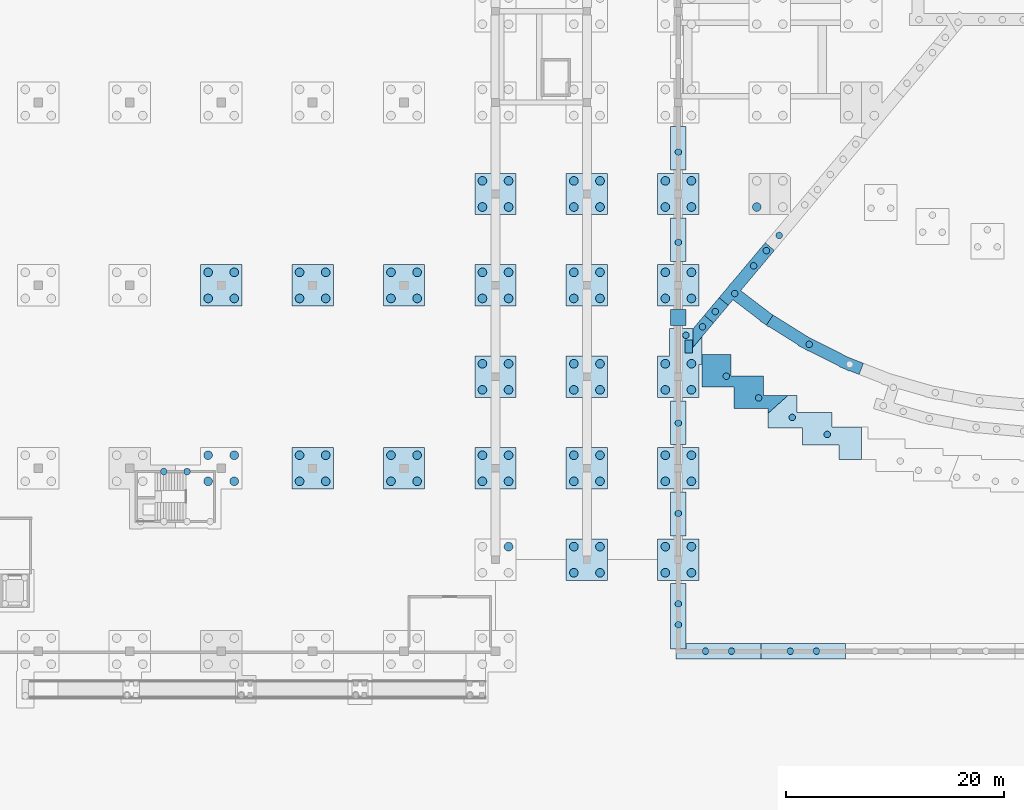
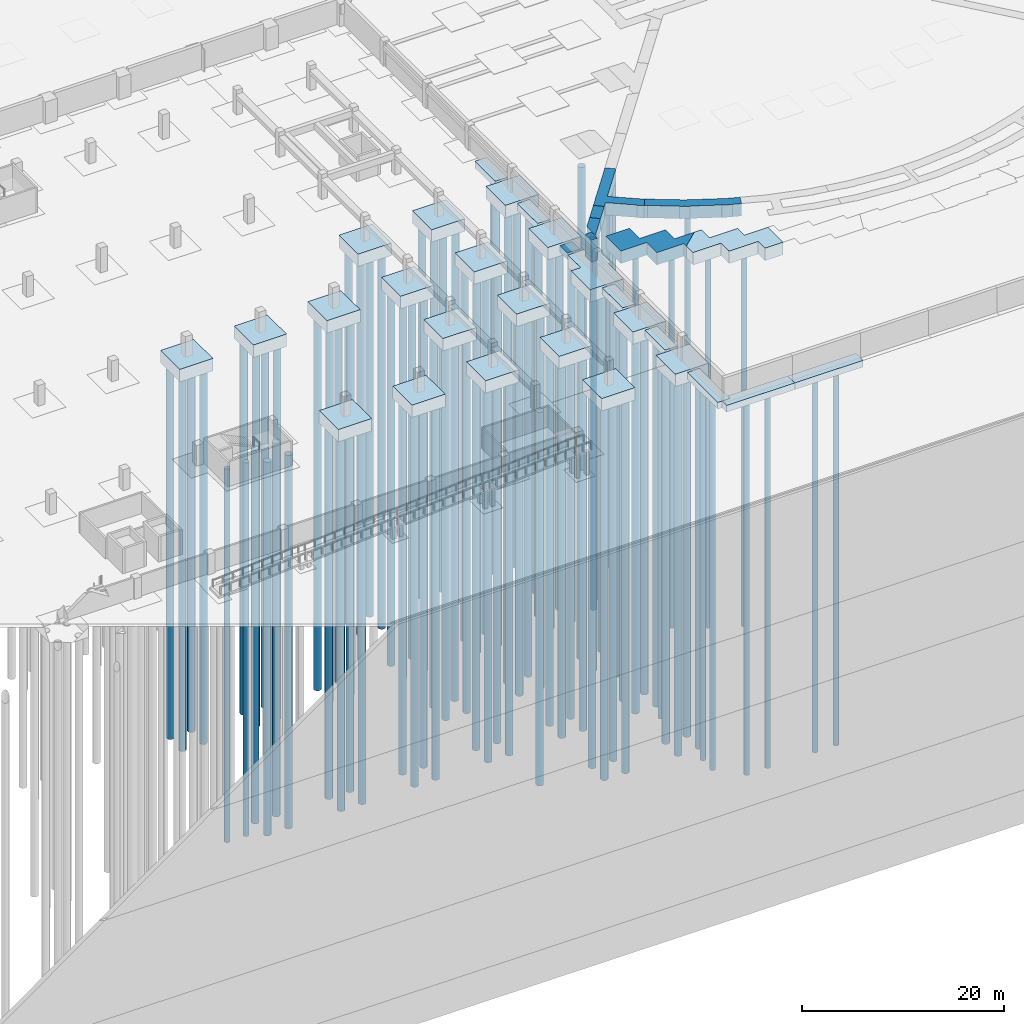
# One storey, part 7 of 67: 106 piles, 34 footings.
"""IFC4 building model written with IfcOpenShell, lengths in metres."""

from ifc_helpers import new_model, si_unit, direction, frame, origin, origin_2d, place, context, subcontext, project, spatial, polyline, circle, outline, extrude, material, material_profile, profile_set, type_object, element, save


model = new_model("IFC4")

# Units and contexts
model_context = context("Model", 3, precision=1e-05, world=origin(), true_north=direction((0.0, 1.0)))
body_context = subcontext(model_context, "Body", "Model", "MODEL_VIEW")
ifc_project = project(units=[si_unit("LENGTHUNIT", "METRE"), si_unit("AREAUNIT", "SQUARE_METRE"), si_unit("VOLUMEUNIT", "CUBIC_METRE"), si_unit("PLANEANGLEUNIT", "RADIAN"), si_unit("MASSUNIT", "GRAM", prefix="KILO")], contexts=[model_context])

# Site, building, storey
site_placement = place(None, origin())
site = spatial("IfcSite", under=ifc_project, at=site_placement, CompositionType="ELEMENT")
building_placement = place(site_placement, origin())
building = spatial("IfcBuilding", under=site, at=building_placement, Name="Rain Tree Exposition and Congress Centre", CompositionType="ELEMENT")
storey_placement = place(building_placement, frame((0.0, 0.0, -3.0)))
storey = spatial("IfcBuildingStorey", under=building, at=storey_placement, Name="B1", CompositionType="ELEMENT", Elevation=-3.0)

# Piles
ifc_material_1 = material(Name="Concrete C35/45", Category="concrete")
ifc_material_profile_1 = material_profile(ifc_material_1, circle(Radius=0.300048828125, at=origin_2d()), Name="D600")
ifc_profile_set_1 = profile_set([ifc_material_profile_1], Name="Concrete C35/45")
pile_type_1 = type_object("IfcPileType", Name="Bored pile D600", PredefinedType="BORED", material=ifc_profile_set_1)
for number, where, z_axis, x_axis, name in (
    (1, (120.7333984375, 16.5, -1.425048828125), (0.0, 0.0, -1.0), (1.0, 0.0, 0.0), "Bored pile 0731"),
    (2, (122.86669921875, 16.5, -1.425048828125), (0.0, 0.0, -1.0), (1.0, 0.0, 0.0), "Bored pile 0733"),
    (3, (168.689208984375, 29.017822265625, -1.425048828125), (0.0, 0.0, -1.0), (1.0, 0.0, 0.0), "Bored pile 1109"),
    (4, (171.390380859375, 31.19775390625, 1.2255859375), (0.0, 0.0, -1.0), (1.0, 0.0, 0.0), "Bored pile 1887"),
    (5, (170.216796875, 29.798828125, 1.2255859375), (0.0, 0.0, -1.0), (1.0, 0.0, 0.0), "Bored pile 1888"),
    (6, (173.170166015625, 32.8525390625, 1.2255859375), (0.0, 0.0, -1.0), (1.0, 0.0, 0.0), "Bored pile 1889"),
    (7, (174.912109375, 35.39453125, 1.2255859375), (0.0, 0.0, -1.0), (1.0, 0.0, 0.0), "Bored pile 1890"),
    (8, (176.0859375, 36.79345703125, 1.2255859375), (0.0, 0.0, -1.0), (1.0, 0.0, 0.0), "Bored pile 1891"),
    (9, (177.259765625, 38.1923828125, 1.2255859375), (0.0, 0.0, -1.0), (1.0, 0.0, 0.0), "Bored pile 1899"),
    (10, (181.675048828125, 19.90673828125, 1.2255859375), (0.0, 0.0, -1.0), (1.0, 0.0, 0.0), "Bored pile 1972"),
    (11, (178.463134765625, 21.473388671875, 1.2255859375), (0.0, 0.0, -1.0), (1.0, 0.0, 0.0), "Bored pile 1973"),
    (12, (175.3681640625, 23.26025390625, 1.2255859375), (0.0, 0.0, -1.0), (1.0, 0.0, 0.0), "Bored pile 1974"),
    (13, (172.405517578125, 25.258544921875, 1.2255859375), (0.0, 0.0, -1.0), (1.0, 0.0, 0.0), "Bored pile 1975"),
    (14, (180.01904296875, 28.183837890625, 1.2255859375), (0.0, 0.0, -1.0), (1.0, 0.0, 0.0), "Bored pile 1999"),
    (15, (168.0, 2.425048828125, -0.72509765625), (0.0, 0.0, -1.0), (1.0, 0.0, 0.0), "Bored pile 2439"),
    (16, (168.0, 4.35009765625, -0.72509765625), (0.0, 0.0, -1.0), (1.0, 0.0, 0.0), "Bored pile 2440"),
    (17, (168.0, 12.64990234375, -0.72509765625), (0.0, 0.0, -1.0), (1.0, 0.0, 0.0), "Bored pile 2441"),
    (18, (168.0, 20.949951171875, -0.72509765625), (0.0, 0.0, -1.0), (1.0, 0.0, 0.0), "Bored pile 2442"),
    (19, (168.0, 37.550048828125, -0.72509765625), (0.0, 0.0, -1.0), (1.0, 0.0, 0.0), "Bored pile 2443"),
    (20, (168.0, 45.85009765625, -0.72509765625), (0.0, 0.0, -1.0), (1.0, 0.0, 0.0), "Bored pile 2444"),
    (21, (180.67431640625, 0.0, -0.72509765625), (0.0, 0.0, -1.0), (1.0, 0.0, 0.0), "Bored pile 2586"),
    (22, (178.279541015625, 0.0, -0.72509765625), (0.0, 0.0, -1.0), (1.0, 0.0, 0.0), "Bored pile 2587"),
    (23, (172.8896484375, 0.0, -0.72509765625), (0.0, 0.0, -1.0), (1.0, 0.0, 0.0), "Bored pile 2588"),
    (24, (170.494873046875, 0.0, -0.72509765625), (0.0, 0.0, -1.0), (1.0, 0.0, 0.0), "Bored pile 2589"),
):
    element("IfcPile", number, at=place(storey_placement, frame(where, z_axis=z_axis, x_axis=x_axis)), inside=storey, type_object=pile_type_1, Name=name, PredefinedType="BORED", context=body_context, shape_type="SweptSolid", body=[
        extrude(circle(Radius=0.300048828125, at=origin_2d()), origin(), (0.0, 0.0, 1.0), 45.074951171875),
    ])
ifc_material_2 = material(Name="Concrete C35/45", Category="concrete")
ifc_material_profile_2 = material_profile(ifc_material_2, circle(Radius=0.39990234375, at=origin_2d()), Name="D800")
ifc_profile_set_2 = profile_set([ifc_material_profile_2], Name="Concrete C35/45")
pile_type_2 = type_object("IfcPileType", Name="Bored pile D800", PredefinedType="BORED", material=ifc_profile_set_2)
for number, where, z_axis, x_axis, name in (
    (25, (124.800048828125, 15.60009765625, -1.425048828125), (0.0, 0.0, -1.0), (1.0, 0.0, 0.0), "Bored pile 0734"),
    (26, (124.800048828125, 18.0, -1.425048828125), (0.0, 0.0, -1.0), (1.0, 0.0, 0.0), "Bored pile 0735"),
    (27, (127.199951171875, 15.60009765625, -1.425048828125), (0.0, 0.0, -1.0), (1.0, 0.0, 0.0), "Bored pile 0737"),
    (28, (127.199951171875, 18.0, -1.425048828125), (0.0, 0.0, -1.0), (1.0, 0.0, 0.0), "Bored pile 0738"),
    (29, (124.800048828125, 32.39990234375, -1.425048828125), (0.0, 0.0, -1.0), (1.0, 0.0, 0.0), "Bored pile 0743"),
    (30, (127.199951171875, 32.39990234375, -1.425048828125), (0.0, 0.0, -1.0), (1.0, 0.0, 0.0), "Bored pile 0744"),
    (31, (124.800048828125, 34.800048828125, -1.425048828125), (0.0, 0.0, -1.0), (1.0, 0.0, 0.0), "Bored pile 0745"),
    (32, (127.199951171875, 34.800048828125, -1.425048828125), (0.0, 0.0, -1.0), (1.0, 0.0, 0.0), "Bored pile 0746"),
    (33, (152.39990234375, 9.60009765625, -1.425048828125), (0.0, 0.0, -1.0), (1.0, 0.0, 0.0), "Bored pile 0912"),
    (34, (158.39990234375, 7.199951171875, -1.425048828125), (0.0, 0.0, -1.0), (1.0, 0.0, 0.0), "Bored pile 0913"),
    (35, (160.800048828125, 7.199951171875, -1.425048828125), (0.0, 0.0, -1.0), (1.0, 0.0, 0.0), "Bored pile 0914"),
    (36, (158.39990234375, 9.60009765625, -1.425048828125), (0.0, 0.0, -1.0), (1.0, 0.0, 0.0), "Bored pile 0915"),
    (37, (160.800048828125, 9.60009765625, -1.425048828125), (0.0, 0.0, -1.0), (1.0, 0.0, 0.0), "Bored pile 0916"),
    (38, (150.0, 15.60009765625, -1.425048828125), (0.0, 0.0, -1.0), (1.0, 0.0, 0.0), "Bored pile 0917"),
    (39, (152.39990234375, 15.60009765625, -1.425048828125), (0.0, 0.0, -1.0), (1.0, 0.0, 0.0), "Bored pile 0918"),
    (40, (150.0, 18.0, -1.425048828125), (0.0, 0.0, -1.0), (1.0, 0.0, 0.0), "Bored pile 0919"),
    (41, (152.39990234375, 18.0, -1.425048828125), (0.0, 0.0, -1.0), (1.0, 0.0, 0.0), "Bored pile 0920"),
    (42, (141.60009765625, 15.60009765625, -1.425048828125), (0.0, 0.0, -1.0), (1.0, 0.0, 0.0), "Bored pile 0921"),
    (43, (144.0, 15.60009765625, -1.425048828125), (0.0, 0.0, -1.0), (1.0, 0.0, 0.0), "Bored pile 0922"),
    (44, (141.60009765625, 18.0, -1.425048828125), (0.0, 0.0, -1.0), (1.0, 0.0, 0.0), "Bored pile 0923"),
    (45, (144.0, 18.0, -1.425048828125), (0.0, 0.0, -1.0), (1.0, 0.0, 0.0), "Bored pile 0924"),
    (46, (158.39990234375, 15.60009765625, -1.425048828125), (0.0, 0.0, -1.0), (1.0, 0.0, 0.0), "Bored pile 0925"),
    (47, (160.800048828125, 15.60009765625, -1.425048828125), (0.0, 0.0, -1.0), (1.0, 0.0, 0.0), "Bored pile 0926"),
    (48, (158.39990234375, 18.0, -1.425048828125), (0.0, 0.0, -1.0), (1.0, 0.0, 0.0), "Bored pile 0927"),
    (49, (160.800048828125, 18.0, -1.425048828125), (0.0, 0.0, -1.0), (1.0, 0.0, 0.0), "Bored pile 0928"),
    (50, (133.199951171875, 15.60009765625, -1.425048828125), (0.0, 0.0, -1.0), (1.0, 0.0, 0.0), "Bored pile 0929"),
    (51, (135.60009765625, 15.60009765625, -1.425048828125), (0.0, 0.0, -1.0), (1.0, 0.0, 0.0), "Bored pile 0930"),
    (52, (133.199951171875, 18.0, -1.425048828125), (0.0, 0.0, -1.0), (1.0, 0.0, 0.0), "Bored pile 0931"),
    (53, (135.60009765625, 18.0, -1.425048828125), (0.0, 0.0, -1.0), (1.0, 0.0, 0.0), "Bored pile 0932"),
    (54, (150.0, 24.0, -1.425048828125), (0.0, 0.0, -1.0), (1.0, 0.0, 0.0), "Bored pile 0933"),
    (55, (152.39990234375, 24.0, -1.425048828125), (0.0, 0.0, -1.0), (1.0, 0.0, 0.0), "Bored pile 0934"),
    (56, (150.0, 26.39990234375, -1.425048828125), (0.0, 0.0, -1.0), (1.0, 0.0, 0.0), "Bored pile 0935"),
    (57, (152.39990234375, 26.39990234375, -1.425048828125), (0.0, 0.0, -1.0), (1.0, 0.0, 0.0), "Bored pile 0936"),
    (58, (158.39990234375, 24.0, -1.425048828125), (0.0, 0.0, -1.0), (1.0, 0.0, 0.0), "Bored pile 0937"),
    (59, (160.800048828125, 24.0, -1.425048828125), (0.0, 0.0, -1.0), (1.0, 0.0, 0.0), "Bored pile 0938"),
    (60, (158.39990234375, 26.39990234375, -1.425048828125), (0.0, 0.0, -1.0), (1.0, 0.0, 0.0), "Bored pile 0939"),
    (61, (160.800048828125, 26.39990234375, -1.425048828125), (0.0, 0.0, -1.0), (1.0, 0.0, 0.0), "Bored pile 0940"),
    (62, (158.39990234375, 32.39990234375, -1.425048828125), (0.0, 0.0, -1.0), (1.0, 0.0, 0.0), "Bored pile 0941"),
    (63, (160.800048828125, 32.39990234375, -1.425048828125), (0.0, 0.0, -1.0), (1.0, 0.0, 0.0), "Bored pile 0942"),
    (64, (158.39990234375, 34.800048828125, -1.425048828125), (0.0, 0.0, -1.0), (1.0, 0.0, 0.0), "Bored pile 0943"),
    (65, (160.800048828125, 34.800048828125, -1.425048828125), (0.0, 0.0, -1.0), (1.0, 0.0, 0.0), "Bored pile 0944"),
    (66, (133.199951171875, 32.39990234375, -1.425048828125), (0.0, 0.0, -1.0), (1.0, 0.0, 0.0), "Bored pile 0945"),
    (67, (135.60009765625, 32.39990234375, -1.425048828125), (0.0, 0.0, -1.0), (1.0, 0.0, 0.0), "Bored pile 0946"),
    (68, (133.199951171875, 34.800048828125, -1.425048828125), (0.0, 0.0, -1.0), (1.0, 0.0, 0.0), "Bored pile 0947"),
    (69, (135.60009765625, 34.800048828125, -1.425048828125), (0.0, 0.0, -1.0), (1.0, 0.0, 0.0), "Bored pile 0948"),
    (70, (150.0, 32.39990234375, -1.425048828125), (0.0, 0.0, -1.0), (1.0, 0.0, 0.0), "Bored pile 0949"),
    (71, (152.39990234375, 32.39990234375, -1.425048828125), (0.0, 0.0, -1.0), (1.0, 0.0, 0.0), "Bored pile 0950"),
    (72, (150.0, 34.800048828125, -1.425048828125), (0.0, 0.0, -1.0), (1.0, 0.0, 0.0), "Bored pile 0951"),
    (73, (152.39990234375, 34.800048828125, -1.425048828125), (0.0, 0.0, -1.0), (1.0, 0.0, 0.0), "Bored pile 0952"),
    (74, (141.60009765625, 32.39990234375, -1.425048828125), (0.0, 0.0, -1.0), (1.0, 0.0, 0.0), "Bored pile 0953"),
    (75, (144.0, 32.39990234375, -1.425048828125), (0.0, 0.0, -1.0), (1.0, 0.0, 0.0), "Bored pile 0954"),
    (76, (141.60009765625, 34.800048828125, -1.425048828125), (0.0, 0.0, -1.0), (1.0, 0.0, 0.0), "Bored pile 0955"),
    (77, (144.0, 34.800048828125, -1.425048828125), (0.0, 0.0, -1.0), (1.0, 0.0, 0.0), "Bored pile 0956"),
    (78, (150.0, 40.800048828125, -1.425048828125), (0.0, 0.0, -1.0), (1.0, 0.0, 0.0), "Bored pile 0957"),
    (79, (152.39990234375, 40.800048828125, -1.425048828125), (0.0, 0.0, -1.0), (1.0, 0.0, 0.0), "Bored pile 0958"),
    (80, (150.0, 43.199951171875, -1.425048828125), (0.0, 0.0, -1.0), (1.0, 0.0, 0.0), "Bored pile 0959"),
    (81, (152.39990234375, 43.199951171875, -1.425048828125), (0.0, 0.0, -1.0), (1.0, 0.0, 0.0), "Bored pile 0960"),
    (82, (166.800048828125, 7.199951171875, -1.425048828125), (0.0, 0.0, -1.0), (1.0, 0.0, 0.0), "Bored pile 1097"),
    (83, (169.199951171875, 7.199951171875, -1.425048828125), (0.0, 0.0, -1.0), (1.0, 0.0, 0.0), "Bored pile 1098"),
    (84, (166.800048828125, 9.60009765625, -1.425048828125), (0.0, 0.0, -1.0), (1.0, 0.0, 0.0), "Bored pile 1099"),
    (85, (169.199951171875, 9.60009765625, -1.425048828125), (0.0, 0.0, -1.0), (1.0, 0.0, 0.0), "Bored pile 1100"),
    (86, (166.800048828125, 15.60009765625, -1.425048828125), (0.0, 0.0, -1.0), (1.0, 0.0, 0.0), "Bored pile 1101"),
    (87, (169.199951171875, 15.60009765625, -1.425048828125), (0.0, 0.0, -1.0), (1.0, 0.0, 0.0), "Bored pile 1102"),
    (88, (166.800048828125, 18.0, -1.425048828125), (0.0, 0.0, -1.0), (1.0, 0.0, 0.0), "Bored pile 1103"),
    (89, (169.199951171875, 18.0, -1.425048828125), (0.0, 0.0, -1.0), (1.0, 0.0, 0.0), "Bored pile 1104"),
    (90, (166.800048828125, 24.0, -1.425048828125), (0.0, 0.0, -1.0), (1.0, 0.0, 0.0), "Bored pile 1105"),
    (91, (169.199951171875, 24.0, -1.425048828125), (0.0, 0.0, -1.0), (1.0, 0.0, 0.0), "Bored pile 1106"),
    (92, (166.800048828125, 26.39990234375, -1.425048828125), (0.0, 0.0, -1.0), (1.0, 0.0, 0.0), "Bored pile 1107"),
    (93, (169.199951171875, 26.39990234375, -1.425048828125), (0.0, 0.0, -1.0), (1.0, 0.0, 0.0), "Bored pile 1108"),
    (94, (166.800048828125, 32.39990234375, -1.425048828125), (0.0, 0.0, -1.0), (1.0, 0.0, 0.0), "Bored pile 1110"),
    (95, (169.199951171875, 32.39990234375, -1.425048828125), (0.0, 0.0, -1.0), (1.0, 0.0, 0.0), "Bored pile 1111"),
    (96, (166.800048828125, 34.800048828125, -1.425048828125), (0.0, 0.0, -1.0), (1.0, 0.0, 0.0), "Bored pile 1112"),
    (97, (169.199951171875, 34.800048828125, -1.425048828125), (0.0, 0.0, -1.0), (1.0, 0.0, 0.0), "Bored pile 1113"),
    (98, (158.39990234375, 40.800048828125, -1.425048828125), (0.0, 0.0, -1.0), (1.0, 0.0, 0.0), "Bored pile 1114"),
    (99, (160.800048828125, 40.800048828125, -1.425048828125), (0.0, 0.0, -1.0), (1.0, 0.0, 0.0), "Bored pile 1115"),
    (100, (158.39990234375, 43.199951171875, -1.425048828125), (0.0, 0.0, -1.0), (1.0, 0.0, 0.0), "Bored pile 1116"),
    (101, (160.800048828125, 43.199951171875, -1.425048828125), (0.0, 0.0, -1.0), (1.0, 0.0, 0.0), "Bored pile 1117"),
    (102, (166.800048828125, 40.800048828125, -1.425048828125), (0.0, 0.0, -1.0), (1.0, 0.0, 0.0), "Bored pile 1118"),
    (103, (169.199951171875, 40.800048828125, -1.425048828125), (0.0, 0.0, -1.0), (1.0, 0.0, 0.0), "Bored pile 1119"),
    (104, (166.800048828125, 43.199951171875, -1.425048828125), (0.0, 0.0, -1.0), (1.0, 0.0, 0.0), "Bored pile 1120"),
    (105, (169.199951171875, 43.199951171875, -1.425048828125), (0.0, 0.0, -1.0), (1.0, 0.0, 0.0), "Bored pile 1121"),
    (106, (175.199951171875, 40.800048828125, 1.2255859375), (0.0, 0.0, -1.0), (1.0, 0.0, 0.0), "Bored pile 1900"),
):
    element("IfcPile", number, at=place(storey_placement, frame(where, z_axis=z_axis, x_axis=x_axis)), inside=storey, type_object=pile_type_2, Name=name, PredefinedType="BORED", context=body_context, shape_type="SweptSolid", body=[
        extrude(circle(Radius=0.39990234375, at=origin_2d()), origin(), (0.0, 0.0, 1.0), 45.074951171875),
    ])

# Footings
ifc_material_3 = material(Name="Concrete C35/45", Category="concrete")
footing_type_1 = type_object("IfcFootingType", Name="Pier cap 2650 thick", PredefinedType="PILE_CAP", material=ifc_material_3)
footing_1_placement = place(storey_placement, origin())
element("IfcFooting", 107, at=footing_1_placement, inside=storey, type_object=footing_type_1, Name="Pier cap 001", PredefinedType="PILE_CAP", context=body_context, shape_type="SweptSolid", body=[
    extrude(outline(polyline([(168.60009765625, 28.57861328125), (168.60009765625, 27.37841796875), (169.289306640625, 27.37841796875), (169.289306640625, 28.57861328125), (168.60009765625, 28.57861328125)])), origin(), (0.0, 0.0, 1.0), 2.64990234375),
])
ifc_material_4 = material(Name="Concrete C35/45", Category="concrete")
footing_type_2 = type_object("IfcFootingType", Name="Pile cap 1500 thick", PredefinedType="PILE_CAP", material=ifc_material_4)
footing_2_placement = place(storey_placement, frame((0.0, 0.0, -1.5)))
element("IfcFooting", 108, at=footing_2_placement, inside=storey, type_object=footing_type_2, Name="Pile cap 145", PredefinedType="PILE_CAP", context=body_context, shape_type="SweptSolid", body=[
    extrude(outline(polyline([(127.89990234375, 31.699951171875), (127.89990234375, 35.5), (124.10009765625, 35.5), (124.10009765625, 31.699951171875), (127.89990234375, 31.699951171875)])), origin(), (0.0, 0.0, 1.0), 1.5),
])
footing_3_placement = place(storey_placement, frame((0.0, 0.0, -1.5)))
element("IfcFooting", 109, at=footing_3_placement, inside=storey, type_object=footing_type_2, Name="Pile cap 171", PredefinedType="PILE_CAP", context=body_context, shape_type="SweptSolid", body=[
    extrude(outline(polyline([(161.5, 6.5), (161.5, 10.300048828125), (157.699951171875, 10.300048828125), (157.699951171875, 6.5), (161.5, 6.5)])), origin(), (0.0, 0.0, 1.0), 1.5),
])
footing_4_placement = place(storey_placement, frame((0.0, 0.0, -1.5)))
element("IfcFooting", 110, at=footing_4_placement, inside=storey, type_object=footing_type_2, Name="Pile cap 172", PredefinedType="PILE_CAP", context=body_context, shape_type="SweptSolid", body=[
    extrude(outline(polyline([(153.10009765625, 14.89990234375), (153.10009765625, 18.699951171875), (149.300048828125, 18.699951171875), (149.300048828125, 14.89990234375), (153.10009765625, 14.89990234375)])), origin(), (0.0, 0.0, 1.0), 1.5),
])
footing_5_placement = place(storey_placement, frame((0.0, 0.0, -1.5)))
element("IfcFooting", 111, at=footing_5_placement, inside=storey, type_object=footing_type_2, Name="Pile cap 173", PredefinedType="PILE_CAP", context=body_context, shape_type="SweptSolid", body=[
    extrude(outline(polyline([(144.699951171875, 14.89990234375), (144.699951171875, 18.699951171875), (140.89990234375, 18.699951171875), (140.89990234375, 14.89990234375), (144.699951171875, 14.89990234375)])), origin(), (0.0, 0.0, 1.0), 1.5),
])
footing_6_placement = place(storey_placement, frame((0.0, 0.0, -1.5)))
element("IfcFooting", 112, at=footing_6_placement, inside=storey, type_object=footing_type_2, Name="Pile cap 174", PredefinedType="PILE_CAP", context=body_context, shape_type="SweptSolid", body=[
    extrude(outline(polyline([(161.5, 14.89990234375), (161.5, 18.699951171875), (157.699951171875, 18.699951171875), (157.699951171875, 14.89990234375), (161.5, 14.89990234375)])), origin(), (0.0, 0.0, 1.0), 1.5),
])
footing_7_placement = place(storey_placement, frame((0.0, 0.0, -1.5)))
element("IfcFooting", 113, at=footing_7_placement, inside=storey, type_object=footing_type_2, Name="Pile cap 175", PredefinedType="PILE_CAP", context=body_context, shape_type="SweptSolid", body=[
    extrude(outline(polyline([(136.300048828125, 14.89990234375), (136.300048828125, 18.699951171875), (132.5, 18.699951171875), (132.5, 14.89990234375), (136.300048828125, 14.89990234375)])), origin(), (0.0, 0.0, 1.0), 1.5),
])
footing_8_placement = place(storey_placement, frame((0.0, 0.0, -1.5)))
element("IfcFooting", 114, at=footing_8_placement, inside=storey, type_object=footing_type_2, Name="Pile cap 176", PredefinedType="PILE_CAP", context=body_context, shape_type="SweptSolid", body=[
    extrude(outline(polyline([(153.10009765625, 23.300048828125), (153.10009765625, 27.10009765625), (149.300048828125, 27.10009765625), (149.300048828125, 23.300048828125), (153.10009765625, 23.300048828125)])), origin(), (0.0, 0.0, 1.0), 1.5),
])
footing_9_placement = place(storey_placement, frame((0.0, 0.0, -1.5)))
element("IfcFooting", 115, at=footing_9_placement, inside=storey, type_object=footing_type_2, Name="Pile cap 177", PredefinedType="PILE_CAP", context=body_context, shape_type="SweptSolid", body=[
    extrude(outline(polyline([(161.5, 23.300048828125), (161.5, 27.10009765625), (157.699951171875, 27.10009765625), (157.699951171875, 23.300048828125), (161.5, 23.300048828125)])), origin(), (0.0, 0.0, 1.0), 1.5),
])
footing_10_placement = place(storey_placement, frame((0.0, 0.0, -1.5)))
element("IfcFooting", 116, at=footing_10_placement, inside=storey, type_object=footing_type_2, Name="Pile cap 178", PredefinedType="PILE_CAP", context=body_context, shape_type="SweptSolid", body=[
    extrude(outline(polyline([(161.5, 31.699951171875), (161.5, 35.5), (157.699951171875, 35.5), (157.699951171875, 31.699951171875), (161.5, 31.699951171875)])), origin(), (0.0, 0.0, 1.0), 1.5),
])
footing_11_placement = place(storey_placement, frame((0.0, 0.0, -1.5)))
element("IfcFooting", 117, at=footing_11_placement, inside=storey, type_object=footing_type_2, Name="Pile cap 179", PredefinedType="PILE_CAP", context=body_context, shape_type="SweptSolid", body=[
    extrude(outline(polyline([(136.300048828125, 31.699951171875), (136.300048828125, 35.5), (132.5, 35.5), (132.5, 31.699951171875), (136.300048828125, 31.699951171875)])), origin(), (0.0, 0.0, 1.0), 1.5),
])
footing_12_placement = place(storey_placement, frame((0.0, 0.0, -1.5)))
element("IfcFooting", 118, at=footing_12_placement, inside=storey, type_object=footing_type_2, Name="Pile cap 180", PredefinedType="PILE_CAP", context=body_context, shape_type="SweptSolid", body=[
    extrude(outline(polyline([(153.10009765625, 31.699951171875), (153.10009765625, 35.5), (149.300048828125, 35.5), (149.300048828125, 31.699951171875), (153.10009765625, 31.699951171875)])), origin(), (0.0, 0.0, 1.0), 1.5),
])
footing_13_placement = place(storey_placement, frame((0.0, 0.0, -1.5)))
element("IfcFooting", 119, at=footing_13_placement, inside=storey, type_object=footing_type_2, Name="Pile cap 181", PredefinedType="PILE_CAP", context=body_context, shape_type="SweptSolid", body=[
    extrude(outline(polyline([(144.699951171875, 31.699951171875), (144.699951171875, 35.5), (140.89990234375, 35.5), (140.89990234375, 31.699951171875), (144.699951171875, 31.699951171875)])), origin(), (0.0, 0.0, 1.0), 1.5),
])
footing_14_placement = place(storey_placement, frame((0.0, 0.0, -1.5)))
element("IfcFooting", 120, at=footing_14_placement, inside=storey, type_object=footing_type_2, Name="Pile cap 182", PredefinedType="PILE_CAP", context=body_context, shape_type="SweptSolid", body=[
    extrude(outline(polyline([(153.10009765625, 40.10009765625), (153.10009765625, 43.89990234375), (149.300048828125, 43.89990234375), (149.300048828125, 40.10009765625), (153.10009765625, 40.10009765625)])), origin(), (0.0, 0.0, 1.0), 1.5),
])
footing_15_placement = place(storey_placement, frame((0.0, 0.0, -1.5)))
element("IfcFooting", 121, at=footing_15_placement, inside=storey, type_object=footing_type_2, Name="Pile cap 216", PredefinedType="PILE_CAP", context=body_context, shape_type="SweptSolid", body=[
    extrude(outline(polyline([(169.89990234375, 6.5), (169.89990234375, 10.300048828125), (166.10009765625, 10.300048828125), (166.10009765625, 6.5), (169.89990234375, 6.5)])), origin(), (0.0, 0.0, 1.0), 1.5),
])
footing_16_placement = place(storey_placement, frame((0.0, 0.0, -1.5)))
element("IfcFooting", 122, at=footing_16_placement, inside=storey, type_object=footing_type_2, Name="Pile cap 217", PredefinedType="PILE_CAP", context=body_context, shape_type="SweptSolid", body=[
    extrude(outline(polyline([(169.89990234375, 14.89990234375), (169.89990234375, 18.699951171875), (166.10009765625, 18.699951171875), (166.10009765625, 14.89990234375), (169.89990234375, 14.89990234375)])), origin(), (0.0, 0.0, 1.0), 1.5),
])
footing_17_placement = place(storey_placement, frame((0.0, 0.0, -1.5)))
element("IfcFooting", 123, at=footing_17_placement, inside=storey, type_object=footing_type_2, Name="Pile cap 218", PredefinedType="PILE_CAP", context=body_context, shape_type="SweptSolid", body=[
    extrude(outline(polyline([(169.89990234375, 23.300048828125), (169.89990234375, 26.339111328125), (170.189208984375, 26.339111328125), (170.189208984375, 29.617919921875), (167.189208984375, 29.617919921875), (167.189208984375, 27.10009765625), (166.10009765625, 27.10009765625), (166.10009765625, 23.300048828125), (169.89990234375, 23.300048828125)])), origin(), (0.0, 0.0, 1.0), 1.5),
])
footing_18_placement = place(storey_placement, frame((0.0, 0.0, -1.5)))
element("IfcFooting", 124, at=footing_18_placement, inside=storey, type_object=footing_type_2, Name="Pile cap 219", PredefinedType="PILE_CAP", context=body_context, shape_type="SweptSolid", body=[
    extrude(outline(polyline([(169.89990234375, 31.699951171875), (169.89990234375, 35.5), (166.10009765625, 35.5), (166.10009765625, 31.699951171875), (169.89990234375, 31.699951171875)])), origin(), (0.0, 0.0, 1.0), 1.5),
])
footing_19_placement = place(storey_placement, frame((0.0, 0.0, -1.5)))
element("IfcFooting", 125, at=footing_19_placement, inside=storey, type_object=footing_type_2, Name="Pile cap 220", PredefinedType="PILE_CAP", context=body_context, shape_type="SweptSolid", body=[
    extrude(outline(polyline([(161.5, 40.10009765625), (161.5, 43.89990234375), (157.699951171875, 43.89990234375), (157.699951171875, 40.10009765625), (161.5, 40.10009765625)])), origin(), (0.0, 0.0, 1.0), 1.5),
])
footing_20_placement = place(storey_placement, frame((0.0, 0.0, -1.5)))
element("IfcFooting", 126, at=footing_20_placement, inside=storey, type_object=footing_type_2, Name="Pile cap 221", PredefinedType="PILE_CAP", context=body_context, shape_type="SweptSolid", body=[
    extrude(outline(polyline([(169.89990234375, 40.10009765625), (169.89990234375, 43.89990234375), (166.10009765625, 43.89990234375), (166.10009765625, 40.10009765625), (169.89990234375, 40.10009765625)])), origin(), (0.0, 0.0, 1.0), 1.5),
])
ifc_material_5 = material(Name="Concrete C35/45", Category="concrete")
footing_type_3 = type_object("IfcFootingType", Name="Strip footing 1500 thick", PredefinedType="STRIP_FOOTING", material=ifc_material_5)
footing_21_placement = place(storey_placement, frame((0.0, 0.0, 1.150634765625)))
element("IfcFooting", 127, at=footing_21_placement, inside=storey, type_object=footing_type_3, Name="Strip footing 056", PredefinedType="STRIP_FOOTING", context=body_context, shape_type="SweptSolid", body=[
    extrude(outline(polyline([(171.742431640625, 32.472900390625), (170.38232421875, 30.851806640625), (171.224853515625, 30.144775390625), (172.587890625, 31.76904296875), (171.742431640625, 32.472900390625)])), origin(), (0.0, 0.0, 1.0), 1.5),
])
footing_22_placement = place(storey_placement, frame((0.0, 0.0, 1.150634765625)))
element("IfcFooting", 128, at=footing_22_placement, inside=storey, type_object=footing_type_3, Name="Strip footing 057", PredefinedType="STRIP_FOOTING", context=body_context, shape_type="SweptSolid", body=[
    extrude(outline(polyline([(170.38232421875, 30.851806640625), (169.35009765625, 29.62158203125), (169.35009765625, 27.91015625), (170.054931640625, 28.750244140625), (171.224853515625, 30.144775390625), (170.38232421875, 30.851806640625)])), origin(), (0.0, 0.0, 1.0), 1.5),
])
footing_23_placement = place(storey_placement, frame((0.0, 0.0, 1.150634765625)))
element("IfcFooting", 129, at=footing_23_placement, inside=storey, type_object=footing_type_3, Name="Strip footing 058", PredefinedType="STRIP_FOOTING", context=body_context, shape_type="SweptSolid", body=[
    extrude(outline(polyline([(172.502197265625, 33.378173828125), (171.742431640625, 32.472900390625), (172.587890625, 31.76904296875), (173.015625, 32.27880859375), (175.49951171875, 30.384033203125), (175.4736328125, 30.342529296875), (175.918212890625, 30.064697265625), (176.080078125, 29.94140625), (176.699951171875, 30.873291015625), (176.544677734375, 30.970458984375), (173.723388671875, 33.122314453125), (176.8212890625, 36.814208984375), (175.978759765625, 37.521240234375), (172.847900390625, 33.7900390625), (172.827880859375, 33.805419921875), (172.502197265625, 33.378173828125)])), origin(), (0.0, 0.0, 1.0), 1.5),
])
footing_24_placement = place(storey_placement, frame((0.0, 0.0, 1.150634765625)))
element("IfcFooting", 130, at=footing_24_placement, inside=storey, type_object=footing_type_3, Name="Strip footing 078", PredefinedType="STRIP_FOOTING", context=body_context, shape_type="SweptSolid", body=[
    extrude(outline(polyline([(184.800048828125, 17.598388671875), (184.800048828125, 20.576904296875), (182.125, 20.576904296875), (182.125, 21.915771484375), (178.9130859375, 21.915771484375), (178.9130859375, 23.482421875), (178.063232421875, 23.482421875), (176.213134765625, 21.82568359375), (176.213134765625, 20.50390625), (179.425048828125, 20.50390625), (179.425048828125, 18.937255859375), (182.738525390625, 18.937255859375), (182.738525390625, 17.598388671875), (184.800048828125, 17.598388671875)])), origin(), (0.0, 0.0, 1.0), 1.5),
])
footing_25_placement = place(storey_placement, frame((0.0, 0.0, 1.150634765625)))
element("IfcFooting", 131, at=footing_25_placement, inside=storey, type_object=footing_type_3, Name="Strip footing 079", PredefinedType="STRIP_FOOTING", context=body_context, shape_type="SweptSolid", body=[
    extrude(outline(polyline([(176.213134765625, 21.82568359375), (178.063232421875, 23.482421875), (175.818115234375, 23.482421875), (175.818115234375, 25.269287109375), (172.85546875, 25.269287109375), (172.85546875, 27.267578125), (170.155517578125, 27.267578125), (170.155517578125, 24.2890625), (173.1181640625, 24.2890625), (173.1181640625, 22.29052734375), (176.213134765625, 22.29052734375), (176.213134765625, 21.82568359375)])), origin(), (0.0, 0.0, 1.0), 1.5),
])
footing_26_placement = place(storey_placement, frame((0.0, 0.0, 1.150634765625)))
element("IfcFooting", 132, at=footing_26_placement, inside=storey, type_object=footing_type_3, Name="Strip footing 085", PredefinedType="STRIP_FOOTING", context=body_context, shape_type="SweptSolid", body=[
    extrude(outline(polyline([(184.599853515625, 25.419921875), (185.0, 26.444580078125), (183.683349609375, 26.958984375), (180.0205078125, 28.79833984375), (176.699951171875, 30.873291015625), (176.080078125, 29.94140625), (176.335205078125, 29.74658203125), (176.364990234375, 29.78564453125), (179.034423828125, 28.117431640625), (179.0126953125, 28.07373046875), (179.481201171875, 27.83837890625), (179.92578125, 27.560546875), (179.951904296875, 27.60205078125), (182.764892578125, 26.189208984375), (182.7470703125, 26.143798828125), (183.235595703125, 25.952880859375), (183.7041015625, 25.717529296875), (183.72607421875, 25.76123046875), (184.599853515625, 25.419921875)])), origin(), (0.0, 0.0, 1.0), 1.5),
])
ifc_material_6 = material(Name="Concrete C35/45", Category="concrete")
footing_type_4 = type_object("IfcFootingType", Name="Strip footing 800 thick", PredefinedType="STRIP_FOOTING", material=ifc_material_6)
footing_27_placement = place(storey_placement, frame((0.0, 0.0, -0.800048828125)))
element("IfcFooting", 133, at=footing_27_placement, inside=storey, type_object=footing_type_4, Name="Strip footing 103", PredefinedType="STRIP_FOOTING", context=body_context, shape_type="SweptSolid", body=[
    extrude(outline(polyline([(168.699951171875, 0.199951171875), (168.699951171875, 6.199951171875), (167.300048828125, 6.199951171875), (167.300048828125, 0.199951171875), (168.699951171875, 0.199951171875)])), origin(), (0.0, 0.0, 1.0), 0.800048828125),
])
footing_28_placement = place(storey_placement, frame((0.0, 0.0, -0.800048828125)))
element("IfcFooting", 134, at=footing_28_placement, inside=storey, type_object=footing_type_4, Name="Strip footing 104", PredefinedType="STRIP_FOOTING", context=body_context, shape_type="SweptSolid", body=[
    extrude(outline(polyline([(167.300048828125, 10.60009765625), (168.699951171875, 10.60009765625), (168.699951171875, 14.60009765625), (167.300048828125, 14.60009765625), (167.300048828125, 10.60009765625)])), origin(), (0.0, 0.0, 1.0), 0.800048828125),
])
footing_29_placement = place(storey_placement, frame((0.0, 0.0, -0.800048828125)))
element("IfcFooting", 135, at=footing_29_placement, inside=storey, type_object=footing_type_4, Name="Strip footing 105", PredefinedType="STRIP_FOOTING", context=body_context, shape_type="SweptSolid", body=[
    extrude(outline(polyline([(167.300048828125, 19.0), (168.699951171875, 19.0), (168.699951171875, 23.0), (167.300048828125, 23.0), (167.300048828125, 19.0)])), origin(), (0.0, 0.0, 1.0), 0.800048828125),
])
footing_30_placement = place(storey_placement, frame((0.0, 0.0, -0.800048828125)))
element("IfcFooting", 136, at=footing_30_placement, inside=storey, type_object=footing_type_4, Name="Strip footing 106", PredefinedType="STRIP_FOOTING", context=body_context, shape_type="SweptSolid", body=[
    extrude(outline(polyline([(167.300048828125, 29.917724609375), (168.699951171875, 29.917724609375), (168.699951171875, 31.39990234375), (167.300048828125, 31.39990234375), (167.300048828125, 29.917724609375)])), origin(), (0.0, 0.0, 1.0), 0.800048828125),
])
footing_31_placement = place(storey_placement, frame((0.0, 0.0, -0.800048828125)))
element("IfcFooting", 137, at=footing_31_placement, inside=storey, type_object=footing_type_4, Name="Strip footing 107", PredefinedType="STRIP_FOOTING", context=body_context, shape_type="SweptSolid", body=[
    extrude(outline(polyline([(167.300048828125, 35.800048828125), (168.699951171875, 35.800048828125), (168.699951171875, 39.800048828125), (167.300048828125, 39.800048828125), (167.300048828125, 35.800048828125)])), origin(), (0.0, 0.0, 1.0), 0.800048828125),
])
footing_32_placement = place(storey_placement, frame((0.0, 0.0, -0.800048828125)))
element("IfcFooting", 138, at=footing_32_placement, inside=storey, type_object=footing_type_4, Name="Strip footing 108", PredefinedType="STRIP_FOOTING", context=body_context, shape_type="SweptSolid", body=[
    extrude(outline(polyline([(167.300048828125, 44.199951171875), (168.699951171875, 44.199951171875), (168.699951171875, 48.199951171875), (167.300048828125, 48.199951171875), (167.300048828125, 44.199951171875)])), origin(), (0.0, 0.0, 1.0), 0.800048828125),
])
footing_33_placement = place(storey_placement, frame((0.0, 0.0, -0.800048828125)))
element("IfcFooting", 139, at=footing_33_placement, inside=storey, type_object=footing_type_4, Name="Strip footing 216", PredefinedType="STRIP_FOOTING", context=body_context, shape_type="SweptSolid", body=[
    extrude(outline(polyline([(183.369140625, 0.699951171875), (175.584716796875, 0.699951171875), (175.584716796875, -0.699951171875), (183.369140625, -0.699951171875), (183.369140625, 0.699951171875)])), origin(), (0.0, 0.0, 1.0), 0.800048828125),
])
footing_34_placement = place(storey_placement, frame((0.0, 0.0, -0.800048828125)))
element("IfcFooting", 140, at=footing_34_placement, inside=storey, type_object=footing_type_4, Name="Strip footing 217", PredefinedType="STRIP_FOOTING", context=body_context, shape_type="SweptSolid", body=[
    extrude(outline(polyline([(175.584716796875, 0.699951171875), (168.699951171875, 0.699951171875), (168.699951171875, 0.199951171875), (167.800048828125, 0.199951171875), (167.800048828125, -0.699951171875), (175.584716796875, -0.699951171875), (175.584716796875, 0.699951171875)])), origin(), (0.0, 0.0, 1.0), 0.800048828125),
])

save(model, "model.ifc")
